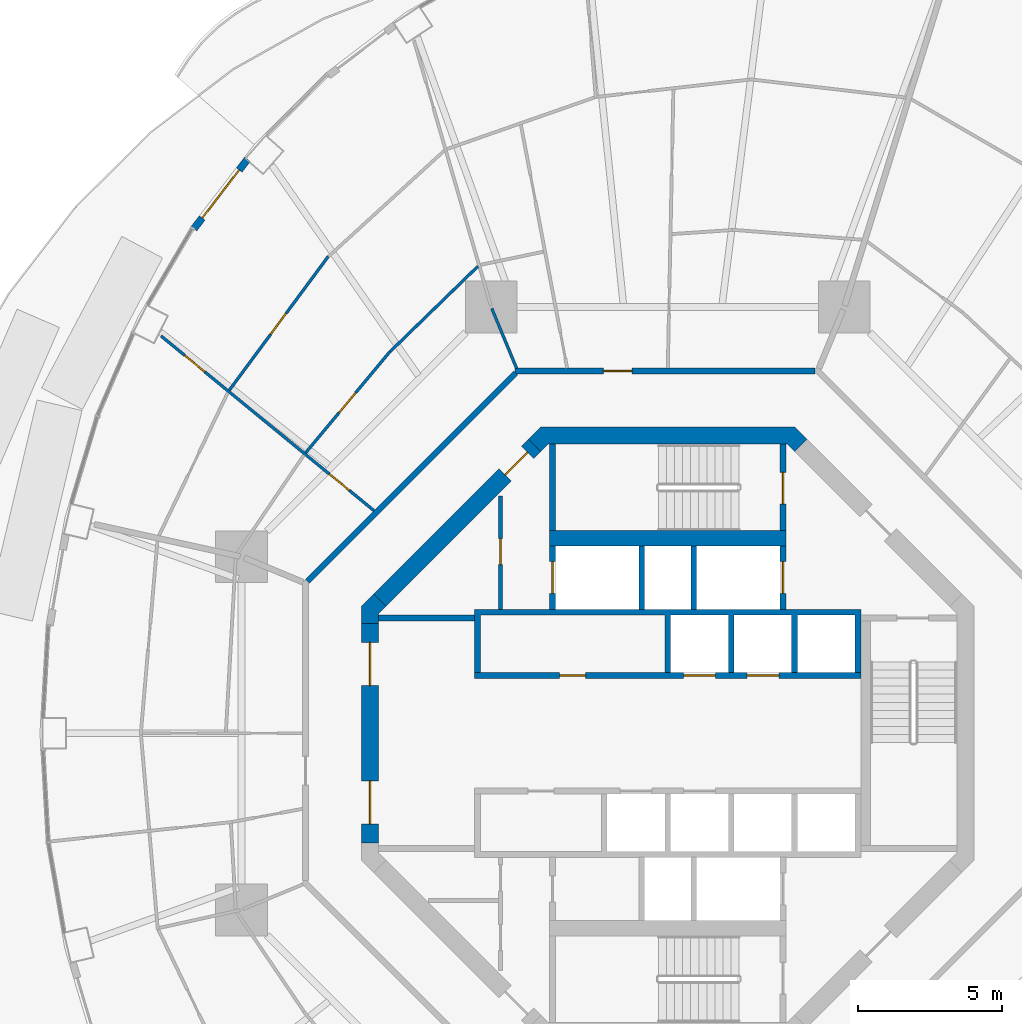
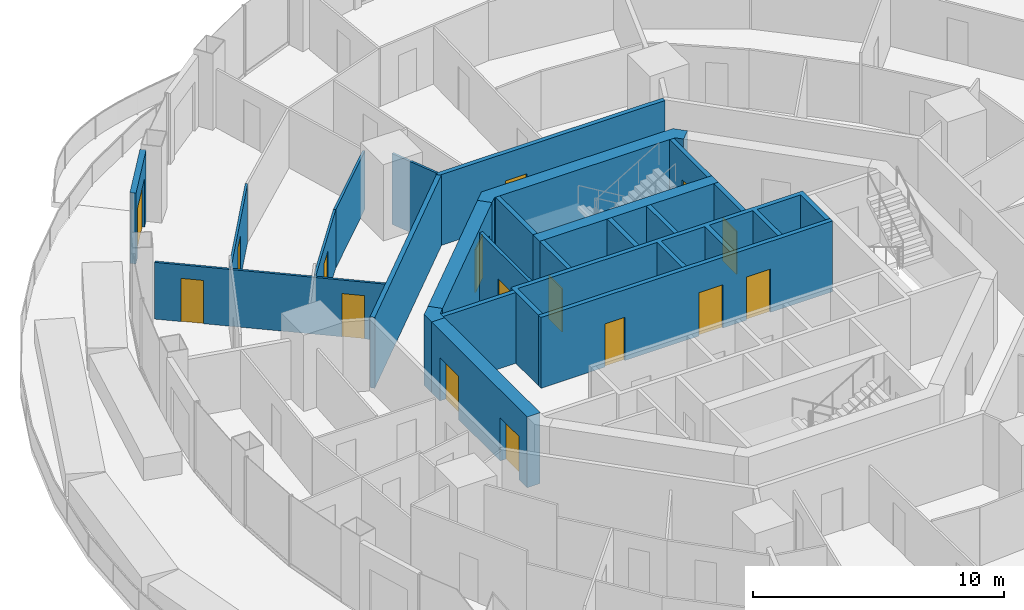
# One storey, part 15 of 20: 23 walls, 16 doors, 16 openings.
"""IFC4 building model written with IfcOpenShell, lengths in metres."""

import ifcopenshell
import ifcopenshell.guid

model = None  # the IFC model being written
_history = None  # IfcOwnerHistory: only IFC2X3 demands one
_inside = {}  # id of a spatial element -> (the spatial element, [elements in it])
_under = {}  # id of a project, library or spatial element -> (it, [spatial elements below it])
_declared = {}  # id of a project -> (the project, [libraries it declares])
_typed = {}  # id of a type object -> (the type object, [elements of that type])
_made_of = {}  # id of a material, layer set ... -> (it, [elements and type objects made of it])


def new_model(schema):
    """Start an empty IFC model of exactly this schema.

    Asked for "IFC4X3", IfcOpenShell would pick the latest addendum, in which some entities
    have other attributes; the version numbers below select the first issue.
    IFC2X3 requires an IfcOwnerHistory on every rooted entity: one is made here for all.
    """
    global model, _history
    if schema == "IFC4X3":
        model = ifcopenshell.file(schema_version=(4, 3, 0, 0))
    else:
        model = ifcopenshell.file(schema=schema)
    _inside.clear()
    _under.clear()
    _declared.clear()
    _typed.clear()
    _made_of.clear()
    _history = None
    if model.schema == "IFC2X3":
        org = make("IfcOrganization", Name="unknown")
        user = make(
            "IfcPersonAndOrganization",
            ThePerson=make("IfcPerson", FamilyName="unknown"),
            TheOrganization=org,
        )
        app = make(
            "IfcApplication",
            ApplicationDeveloper=org,
            Version="unknown",
            ApplicationFullName="unknown",
            ApplicationIdentifier="unknown",
        )
        _history = make(
            "IfcOwnerHistory",
            OwningUser=user,
            OwningApplication=app,
            ChangeAction="ADDED",
            CreationDate=0,
        )
    return model


def make(cls, **values):
    """One entity of the class cls with the attributes given. An attribute that is None is left unset."""
    return model.create_entity(
        cls, **{name: value for name, value in values.items() if value is not None}
    )


def rooted(cls, **values):
    """An entity with a GlobalId (a new one), such as an element, a storey or a relation."""
    return make(cls, GlobalId=ifcopenshell.guid.new(), OwnerHistory=_history, **values)


def si_unit(unit_type, name, prefix=None):
    """IfcSIUnit, for example si_unit("LENGTHUNIT", "METRE", prefix="MILLI")."""
    return make("IfcSIUnit", UnitType=unit_type, Prefix=prefix, Name=name)


def assignment(units):
    """IfcUnitAssignment: the units of a project."""
    return None if units is None else make("IfcUnitAssignment", Units=units)


def point(xyz):
    """IfcCartesianPoint."""
    return None if xyz is None else make("IfcCartesianPoint", Coordinates=xyz)


def direction(xyz):
    """IfcDirection."""
    return None if xyz is None else make("IfcDirection", DirectionRatios=xyz)


def frame(location, z_axis=None, x_axis=None):
    """IfcAxis2Placement3D, a coordinate frame: its origin and axes. An axis left out is left unset."""
    return make(
        "IfcAxis2Placement3D",
        Location=point(location),
        Axis=direction(z_axis),
        RefDirection=direction(x_axis),
    )


def frame_2d(location, x_axis=None):
    """IfcAxis2Placement2D, a coordinate frame in the plane: its origin and x axis."""
    return make(
        "IfcAxis2Placement2D", Location=point(location), RefDirection=direction(x_axis)
    )


def origin():
    """The frame at (0, 0, 0) with its axes left unset."""
    return frame((0.0, 0.0, 0.0))


def place(relative_to, where):
    """IfcLocalPlacement: puts the frame where relative to a parent placement (None: the world)."""
    return make(
        "IfcLocalPlacement", PlacementRelTo=relative_to, RelativePlacement=where
    )


def context(
    kind, dimensions, precision=None, world=None, true_north=None, identifier=None
):
    """IfcGeometricRepresentationContext, for example the 3D "Model" context."""
    return make(
        "IfcGeometricRepresentationContext",
        ContextIdentifier=identifier,
        ContextType=kind,
        CoordinateSpaceDimension=dimensions,
        Precision=precision,
        WorldCoordinateSystem=world,
        TrueNorth=true_north,
    )


def subcontext(parent, identifier, kind, view, scale=None):
    """IfcGeometricRepresentationSubContext, for example "Body" below "Model"."""
    return make(
        "IfcGeometricRepresentationSubContext",
        ContextIdentifier=identifier,
        ContextType=kind,
        ParentContext=parent,
        TargetScale=scale,
        TargetView=view,
    )


def project(units=None, contexts=None):
    """IfcProject with its units and contexts."""
    return rooted(
        "IfcProject",
        Name="project",
        RepresentationContexts=contexts,
        UnitsInContext=assignment(units),
    )


def spatial(cls, under=None, at=None, **own):
    """A site, building, storey or space (cls), placed at a placement, below another one or the project."""
    s = rooted(cls, ObjectPlacement=at, **own)
    if under is not None:
        _under.setdefault(under.id(), (under, []))[1].append(s)
    return s


def polyline(points):
    """IfcPolyline through the points."""
    return make("IfcPolyline", Points=[point(p) for p in points])


def profile(cls, at=None, kind="AREA", **sizes):
    """A parametric profile (cls). Its sizes go by their IFC names, for example OverallWidth=200.0."""
    return make(cls, ProfileType=kind, Position=at, **sizes)


def rectangle(**sizes):
    """IfcRectangleProfileDef."""
    return profile("IfcRectangleProfileDef", **sizes)


def outline(outer, holes=None, kind="AREA"):
    """IfcArbitraryClosedProfileDef: a profile drawn as a closed curve; with holes, ...WithVoids."""
    if holes is None:
        return make("IfcArbitraryClosedProfileDef", ProfileType=kind, OuterCurve=outer)
    return make(
        "IfcArbitraryProfileDefWithVoids",
        ProfileType=kind,
        OuterCurve=outer,
        InnerCurves=holes,
    )


def extrude(swept, where, along, depth):
    """IfcExtrudedAreaSolid: the profile swept, set in the frame where, extruded along a direction by depth."""
    return make(
        "IfcExtrudedAreaSolid",
        SweptArea=swept,
        Position=where,
        ExtrudedDirection=direction(along),
        Depth=depth,
    )


def shape(context_of_items, identifier, shape_type, items):
    """IfcShapeRepresentation: the items that make up one representation, for example the "Body"."""
    return make(
        "IfcShapeRepresentation",
        ContextOfItems=context_of_items,
        RepresentationIdentifier=identifier,
        RepresentationType=shape_type,
        Items=items,
    )


def material(Name=None, Category=None):
    """IfcMaterial."""
    return make("IfcMaterial", Name=Name, Category=Category)


def layer(
    of_material, thickness, ventilated=None, Name=None, Category=None, Priority=None
):
    """IfcMaterialLayer: one layer of a wall or slab, of a material (None: an air gap)."""
    return make(
        "IfcMaterialLayer",
        Material=of_material,
        LayerThickness=thickness,
        IsVentilated=ventilated,
        Name=Name,
        Category=Category,
        Priority=Priority,
    )


def layer_set(layers, Name=None):
    """IfcMaterialLayerSet."""
    return make("IfcMaterialLayerSet", MaterialLayers=layers, LayerSetName=Name)


def made_of(thing, what):
    """Note that an element or type object is made of a material, layer set ...; save() writes the relation."""
    if what is not None:
        _made_of.setdefault(what.id(), (what, []))[1].append(thing)
    return thing


def type_object(cls, material=None, **own):
    """A type object (cls), such as IfcWallType, which elements share."""
    return made_of(rooted(cls, **own), material)


def element(
    cls,
    number,
    at=None,
    inside=None,
    cuts=None,
    type_object=None,
    material=None,
    context=None,
    identifier="Body",
    shape_type=None,
    held_by="IfcProductDefinitionShape",
    body=None,
    shapes=None,
    **own,
):
    """One element of the class cls, such as IfcWall. Its Tag is "e" and its number.

    at: its placement. inside: the storey or other place that contains it. cuts: it is an
    opening in that element (IfcRelVoidsElement). A single representation is given by context,
    identifier, shape_type and body (its items); several are given by shapes. held_by: the class
    of the entity that holds the representations. save() writes the other relations.
    """
    e = rooted(cls, Tag="e%d" % number, ObjectPlacement=at, **own)
    if body is not None:
        shapes = [shape(context, identifier, shape_type, body)]
    if shapes is not None:
        e.Representation = make(held_by, Representations=shapes)
    if inside is not None:
        _inside.setdefault(inside.id(), (inside, []))[1].append(e)
    if cuts is not None:
        rooted(
            "IfcRelVoidsElement", RelatingBuildingElement=cuts, RelatedOpeningElement=e
        )
    if type_object is not None:
        _typed.setdefault(type_object.id(), (type_object, []))[1].append(e)
    return made_of(e, material)


def fill(opening, filler):
    """IfcRelFillsElement: the door or window that sits in an opening."""
    return rooted(
        "IfcRelFillsElement",
        RelatingOpeningElement=opening,
        RelatedBuildingElement=filler,
    )


def aggregate(whole, parts):
    """IfcRelAggregates: a whole, such as a stair, and the parts it consists of."""
    return rooted("IfcRelAggregates", RelatingObject=whole, RelatedObjects=parts)


def save(model, path):
    """Write the relations noted so far, then the file.

    IfcRelAggregates (storeys below a building ...), IfcRelContainedInSpatialStructure (elements
    in a storey), IfcRelDefinesByType, IfcRelAssociatesMaterial and IfcRelDeclares: one each for
    every whole, place, type object, material and project.
    """
    for whole, parts in _under.values():
        aggregate(whole, parts)
    for where, things in _inside.values():
        rooted(
            "IfcRelContainedInSpatialStructure",
            RelatedElements=things,
            RelatingStructure=where,
        )
    for kind, things in _typed.values():
        rooted("IfcRelDefinesByType", RelatedObjects=things, RelatingType=kind)
    for what, things in _made_of.values():
        rooted("IfcRelAssociatesMaterial", RelatedObjects=things, RelatingMaterial=what)
    for by, libraries in _declared.values():
        rooted("IfcRelDeclares", RelatingContext=by, RelatedDefinitions=libraries)
    model.write(path)


model = new_model("IFC4")

# Units and contexts
model_context = context("Model", 3, precision=1e-05, world=origin(), true_north=direction((0.0, 1.0)))
body_context = subcontext(model_context, "Body", "Model", "MODEL_VIEW")
ifc_project = project(units=[si_unit("LENGTHUNIT", "METRE"), si_unit("AREAUNIT", "SQUARE_METRE"), si_unit("VOLUMEUNIT", "CUBIC_METRE"), si_unit("PLANEANGLEUNIT", "RADIAN"), si_unit("MASSUNIT", "GRAM", prefix="KILO")], contexts=[model_context])

# Site, building, storey
site_placement = place(None, origin())
site = spatial("IfcSite", under=ifc_project, at=site_placement, CompositionType="ELEMENT")
building_placement = place(site_placement, origin())
building = spatial("IfcBuilding", under=site, at=building_placement, Name="Nagisa Residences", CompositionType="ELEMENT")
storey_placement = place(building_placement, frame((0.0, 0.0, 165.89990234375)))
storey = spatial("IfcBuildingStorey", under=building, at=storey_placement, Name="L41", CompositionType="ELEMENT", Elevation=165.89990234375)

# Wall, opening, door
ifc_material_1 = material(Name="Gypsum board on steel studs", Category="steel")
ifc_layer_1 = layer(ifc_material_1, 0.199951171875)
ifc_layer_set_1 = layer_set([ifc_layer_1], Name="Apartment entry wall EI60 200")
wall_type_1 = type_object("IfcWallType", Name="Apartment entry wall EI60 200", PredefinedType="PARTITIONING", material=ifc_layer_set_1)
wall_1_placement = place(storey_placement, frame((5.1044921875, 12.564697265625, 0.0), z_axis=(0.0, 0.0, 1.0), x_axis=(-1.0, 0.0, 0.0)))
wall_1 = element("IfcWall", 1, at=wall_1_placement, inside=storey, type_object=wall_type_1, Name="wall:L41:u10", PredefinedType="PARTITIONING", context=body_context, shape_type="SweptSolid", body=[
    extrude(rectangle(XDim=10.408935546875, YDim=0.199951171875, at=frame_2d((5.20458984375, 0.0))), origin(), (0.0, 0.0, 1.0), 3.440185546875),
])
opening_1_placement = place(wall_1_placement, frame((6.33935546875, 0.0, 0.0)))
opening_1 = element("IfcOpeningElement", 2, at=opening_1_placement, cuts=wall_1, Name="Opening L41-U15", PredefinedType="OPENING", context=body_context, shape_type="SweptSolid", body=[
    extrude(rectangle(XDim=1.0, YDim=2.10009765625, at=frame_2d((0.5, 1.050048828125))), frame((0.0, 0.10986328125, 0.0), z_axis=(0.0, -1.0, 0.0), x_axis=(1.0, 0.0, 0.0)), (0.0, 0.0, 1.0), 0.219970703125),
])
ifc_material_2 = material(Name="Timber fire door set", Category="wood")
door_type_1 = type_object("IfcDoorType", Name="Apartment entry door FD30S 1000x2100", OperationType="NOTDEFINED", PredefinedType="DOOR", material=ifc_material_2)
door_1_placement = place(opening_1_placement, frame((1.0, 0.0, 0.0), x_axis=(-1.0, 0.0, 0.0)))
door_1 = element("IfcDoor", 3, at=door_1_placement, inside=storey, type_object=door_type_1, Name="Entry door, Apartment 41B", OperationType="SINGLE_SWING_RIGHT", OverallHeight=2.10009765625, OverallWidth=1.0, PredefinedType="DOOR", context=body_context, shape_type="SweptSolid", body=[
    extrude(rectangle(XDim=1.0, YDim=2.10009765625, at=frame_2d((0.5, 1.050048828125))), frame((0.0, 0.02490234375, 0.0), z_axis=(0.0, -1.0, 0.0), x_axis=(1.0, 0.0, 0.0)), (0.0, 0.0, 1.0), 0.050048828125),
])
fill(opening_1, door_1)

# Walls
wall_2_placement = place(storey_placement, frame((-5.275146484375, 12.494140625, 0.0), z_axis=(0.0, 0.0, 1.0), x_axis=(-0.707106781187, -0.707106781187, 0.0)))
element("IfcWall", 4, at=wall_2_placement, inside=storey, type_object=wall_type_1, Name="wall:L41:u11", PredefinedType="PARTITIONING", context=body_context, shape_type="SweptSolid", body=[
    extrude(rectangle(XDim=10.209228515625, YDim=0.199951171875, at=frame_2d((5.1044921875, 0.0))), origin(), (0.0, 0.0, 1.0), 3.440185546875),
])
ifc_material_3 = material(Name="Gypsum board on steel studs", Category="steel")
ifc_layer_2 = layer(ifc_material_3, 0.10009765625)
ifc_layer_set_2 = layer_set([ifc_layer_2], Name="Apartment partition 100")
wall_type_2 = type_object("IfcWallType", Name="Apartment partition 100", PredefinedType="PARTITIONING", material=ifc_layer_set_2)
wall_3_placement = place(storey_placement, frame((-5.24267578125, 12.6572265625, 0.0), z_axis=(0.0, 0.0, 1.0), x_axis=(-0.382719158442, 0.923864733477, 0.0)))
element("IfcWall", 5, at=wall_3_placement, inside=storey, type_object=wall_type_2, Name="wall:L41:u44", PredefinedType="PARTITIONING", context=body_context, shape_type="SweptSolid", body=[
    extrude(rectangle(XDim=2.25, YDim=0.10009765625, at=frame_2d((1.125, 0.0))), origin(), (0.0, 0.0, 1.0), 3.440185546875),
])
wall_4_placement = place(storey_placement, frame((-6.580322265625, 16.200927734375, 0.0), z_axis=(0.0, 0.0, 1.0), x_axis=(-0.716946269374, -0.697128429223, 0.0)))
element("IfcWall", 6, at=wall_4_placement, inside=storey, type_object=wall_type_2, Name="wall:L41:u46", PredefinedType="PARTITIONING", context=body_context, shape_type="SweptSolid", body=[
    extrude(rectangle(XDim=4.250244140625, YDim=0.10009765625, at=frame_2d((2.125, 0.0))), origin(), (0.0, 0.0, 1.0), 2.837158203125),
])

# Wall, opening, door
wall_5_placement = place(storey_placement, frame((-9.63134765625, 13.24169921875, 0.0), z_axis=(0.0, 0.0, 1.0), x_axis=(-0.640315711982, -0.768111833647, 0.0)))
wall_5 = element("IfcWall", 7, at=wall_5_placement, inside=storey, type_object=wall_type_2, Name="wall:L41:u48", PredefinedType="PARTITIONING", context=body_context, shape_type="SweptSolid", body=[
    extrude(rectangle(XDim=4.571533203125, YDim=0.10009765625, at=frame_2d((2.28564453125, 0.0))), origin(), (0.0, 0.0, 1.0), 2.837158203125),
])
opening_2_placement = place(wall_5_placement, frame((1.86083984375, 0.0, 0.0)))
opening_2 = element("IfcOpeningElement", 8, at=opening_2_placement, cuts=wall_5, Name="Opening L41-U26", PredefinedType="OPENING", context=body_context, shape_type="SweptSolid", body=[
    extrude(rectangle(XDim=0.89990234375, YDim=2.10009765625, at=frame_2d((0.449951171875, 1.050048828125))), frame((0.0, 0.06005859375, 0.0), z_axis=(0.0, -1.0, 0.0), x_axis=(1.0, 0.0, 0.0)), (0.0, 0.0, 1.0), 0.1201171875),
])
ifc_material_4 = material(Name="Timber door set", Category="wood")
door_type_2 = type_object("IfcDoorType", Name="Apartment door 900x2100", OperationType="NOTDEFINED", PredefinedType="DOOR", material=ifc_material_4)
door_2_placement = place(opening_2_placement, origin())
door_2 = element("IfcDoor", 9, at=door_2_placement, inside=storey, type_object=door_type_2, Name="Door to store, Apartment 41B", OperationType="SINGLE_SWING_RIGHT", OverallHeight=2.10009765625, OverallWidth=0.89990234375, PredefinedType="DOOR", context=body_context, shape_type="SweptSolid", body=[
    extrude(rectangle(XDim=0.89990234375, YDim=2.10009765625, at=frame_2d((0.449951171875, 1.050048828125))), frame((0.0, 0.02490234375, 0.0), z_axis=(0.0, -1.0, 0.0), x_axis=(1.0, 0.0, 0.0)), (0.0, 0.0, 1.0), 0.050048828125),
])
fill(opening_2, door_2)

wall_6_placement = place(storey_placement, frame((-11.77294921875, 16.54150390625, 0.0), z_axis=(0.0, 0.0, 1.0), x_axis=(-0.594694305999, -0.803951915485, 0.0)))
wall_6 = element("IfcWall", 10, at=wall_6_placement, inside=storey, type_object=wall_type_2, Name="wall:L41:u49", PredefinedType="PARTITIONING", context=body_context, shape_type="SweptSolid", body=[
    extrude(rectangle(XDim=5.771728515625, YDim=0.10009765625, at=frame_2d((2.8857421875, 0.0))), origin(), (0.0, 0.0, 1.0), 2.837158203125),
])
opening_3_placement = place(wall_6_placement, frame((2.460693359375, 0.0, 0.0)))
opening_3 = element("IfcOpeningElement", 11, at=opening_3_placement, cuts=wall_6, Name="Opening L41-U24", PredefinedType="OPENING", context=body_context, shape_type="SweptSolid", body=[
    extrude(rectangle(XDim=0.89990234375, YDim=2.10009765625, at=frame_2d((0.449951171875, 1.050048828125))), frame((0.0, 0.06005859375, 0.0), z_axis=(0.0, -1.0, 0.0), x_axis=(1.0, 0.0, 0.0)), (0.0, 0.0, 1.0), 0.1201171875),
])
door_3_placement = place(opening_3_placement, origin())
door_3 = element("IfcDoor", 12, at=door_3_placement, inside=storey, type_object=door_type_2, Name="Door to kitchen, Apartment 41B", OperationType="SINGLE_SWING_RIGHT", OverallHeight=2.10009765625, OverallWidth=0.89990234375, PredefinedType="DOOR", context=body_context, shape_type="SweptSolid", body=[
    extrude(rectangle(XDim=0.89990234375, YDim=2.10009765625, at=frame_2d((0.449951171875, 1.050048828125))), frame((0.0, 0.02490234375, 0.0), z_axis=(0.0, -1.0, 0.0), x_axis=(1.0, 0.0, 0.0)), (0.0, 0.0, 1.0), 0.050048828125),
])
fill(opening_3, door_3)

# Wall, openings, doors
wall_7_placement = place(storey_placement, frame((-10.188720703125, 7.721435546875, 0.0), z_axis=(0.0, 0.0, 1.0), x_axis=(-0.773134429339, 0.634242188892, 0.0)))
wall_7 = element("IfcWall", 13, at=wall_7_placement, inside=storey, type_object=wall_type_2, Name="wall:L41:u50", PredefinedType="PARTITIONING", context=body_context, shape_type="SweptSolid", body=[
    extrude(rectangle(XDim=9.5517578125, YDim=0.10009765625, at=frame_2d((4.77587890625, 0.0))), origin(), (0.0, 0.0, 1.0), 2.756103515625),
])
opening_4_placement = place(wall_7_placement, frame((7.589599609375, 0.0, 0.0)))
opening_4 = element("IfcOpeningElement", 14, at=opening_4_placement, cuts=wall_7, Name="Opening L41-U23", PredefinedType="OPENING", context=body_context, shape_type="SweptSolid", body=[
    extrude(rectangle(XDim=0.89990234375, YDim=2.10009765625, at=frame_2d((0.449951171875, 1.050048828125))), frame((0.0, 0.06005859375, 0.0), z_axis=(0.0, -1.0, 0.0), x_axis=(1.0, 0.0, 0.0)), (0.0, 0.0, 1.0), 0.1201171875),
])
opening_5_placement = place(wall_7_placement, frame((1.103515625, 0.0, 0.0)))
opening_5 = element("IfcOpeningElement", 15, at=opening_5_placement, cuts=wall_7, Name="Opening L41-U27", PredefinedType="OPENING", context=body_context, shape_type="SweptSolid", body=[
    extrude(rectangle(XDim=0.89990234375, YDim=2.10009765625, at=frame_2d((0.449951171875, 1.050048828125))), frame((0.0, 0.06005859375, 0.0), z_axis=(0.0, -1.0, 0.0), x_axis=(1.0, 0.0, 0.0)), (0.0, 0.0, 1.0), 0.1201171875),
])
door_4_placement = place(opening_4_placement, origin())
door_4 = element("IfcDoor", 16, at=door_4_placement, inside=storey, type_object=door_type_2, Name="Door to bedroom, Apartment 41B", OperationType="SINGLE_SWING_LEFT", OverallHeight=2.10009765625, OverallWidth=0.89990234375, PredefinedType="DOOR", context=body_context, shape_type="SweptSolid", body=[
    extrude(rectangle(XDim=0.89990234375, YDim=2.10009765625, at=frame_2d((0.449951171875, 1.050048828125))), frame((0.0, 0.02490234375, 0.0), z_axis=(0.0, -1.0, 0.0), x_axis=(1.0, 0.0, 0.0)), (0.0, 0.0, 1.0), 0.050048828125),
])
fill(opening_4, door_4)
door_5_placement = place(opening_5_placement, origin())
door_5 = element("IfcDoor", 17, at=door_5_placement, inside=storey, type_object=door_type_2, Name="Door to laundry, Apartment 41B", OperationType="SINGLE_SWING_LEFT", OverallHeight=2.10009765625, OverallWidth=0.89990234375, PredefinedType="DOOR", context=body_context, shape_type="SweptSolid", body=[
    extrude(rectangle(XDim=0.89990234375, YDim=2.10009765625, at=frame_2d((0.449951171875, 1.050048828125))), frame((0.0, 0.02490234375, 0.0), z_axis=(0.0, -1.0, 0.0), x_axis=(1.0, 0.0, 0.0)), (0.0, 0.0, 1.0), 0.050048828125),
])
fill(opening_5, door_5)

# Wall, opening, door
ifc_material_5 = material(Name="Precast concrete C40/50", Category="concrete")
ifc_layer_3 = layer(ifc_material_5, 0.25)
ifc_layer_set_3 = layer_set([ifc_layer_3], Name="BALCONY DOOR WALL 250")
wall_type_3 = type_object("IfcWallType", Name="BALCONY DOOR WALL 250", PredefinedType="SOLIDWALL", material=ifc_layer_set_3)
wall_8_placement = place(storey_placement, frame((-16.432373046875, 17.501708984375, 0.0), z_axis=(0.0, 0.0, 1.0), x_axis=(0.610437428894, 0.79206448311, 0.0)))
wall_8 = element("IfcWall", 18, at=wall_8_placement, inside=storey, type_object=wall_type_3, Name="wall:L41:bay18", PredefinedType="SOLIDWALL", context=body_context, shape_type="SweptSolid", body=[
    extrude(rectangle(XDim=3.03515625, YDim=0.25, at=frame_2d((1.517578125, 0.0))), origin(), (0.0, 0.0, 1.0), 3.440185546875),
])
opening_6_placement = place(wall_8_placement, frame((0.467529296875, 0.0, 0.0)))
opening_6 = element("IfcOpeningElement", 19, at=opening_6_placement, cuts=wall_8, Name="Opening BD-L41-07", PredefinedType="OPENING", context=body_context, shape_type="SweptSolid", body=[
    extrude(rectangle(XDim=2.10009765625, YDim=2.39990234375, at=frame_2d((1.050048828125, 1.199951171875))), frame((0.0, 0.135009765625, 0.0), z_axis=(0.0, -1.0, 0.0), x_axis=(1.0, 0.0, 0.0)), (0.0, 0.0, 1.0), 0.27001953125),
])
ifc_material_6 = material(Name="Aluminium and clear glass", Category="aluminium")
door_type_3 = type_object("IfcDoorType", Name="BALCONY SLIDING DOOR 2100x2400", OperationType="SLIDING_TO_LEFT", PredefinedType="DOOR", material=ifc_material_6)
door_6_placement = place(opening_6_placement, origin())
door_6 = element("IfcDoor", 20, at=door_6_placement, inside=storey, type_object=door_type_3, Name="door:L41:bay18", OperationType="SLIDING_TO_LEFT", OverallHeight=2.39990234375, OverallWidth=2.10009765625, PredefinedType="DOOR", context=body_context, shape_type="SweptSolid", body=[
    extrude(rectangle(XDim=2.10009765625, YDim=2.39990234375, at=frame_2d((1.050048828125, 1.199951171875))), frame((0.0, 0.02490234375, 0.0), z_axis=(0.0, -1.0, 0.0), x_axis=(1.0, 0.0, 0.0)), (0.0, 0.0, 1.0), 0.050048828125),
])
fill(opening_6, door_6)

ifc_material_7 = material(Name="Gypsum board on steel studs", Category="steel")
ifc_layer_4 = layer(ifc_material_7, 0.14990234375)
ifc_layer_set_4 = layer_set([ifc_layer_4], Name="Core partition 150")
wall_type_4 = type_object("IfcWallType", Name="Core partition 150", PredefinedType="PARTITIONING", material=ifc_layer_set_4)
wall_9_placement = place(storey_placement, frame((-5.800048828125, 4.300048828125, 0.0), z_axis=(0.0, 0.0, 1.0), x_axis=(0.0, 1.0, 0.0)))
wall_9 = element("IfcWall", 21, at=wall_9_placement, inside=storey, type_object=wall_type_4, Name="wall:L41:NWp", PredefinedType="PARTITIONING", context=body_context, shape_type="SweptSolid", body=[
    extrude(rectangle(XDim=3.927001953125, YDim=0.14990234375, at=frame_2d((1.96337890625, 0.0))), origin(), (0.0, 0.0, 1.0), 3.440185546875),
])
opening_7_placement = place(wall_9_placement, frame((1.551025390625, 0.0, 0.0)))
opening_7 = element("IfcOpeningElement", 22, at=opening_7_placement, cuts=wall_9, Name="Opening L41-C11", PredefinedType="OPENING", context=body_context, shape_type="SweptSolid", body=[
    extrude(rectangle(XDim=0.89990234375, YDim=2.10009765625, at=frame_2d((0.449951171875, 1.050048828125))), frame((0.0, 0.0849609375, 0.0), z_axis=(0.0, -1.0, 0.0), x_axis=(1.0, 0.0, 0.0)), (0.0, 0.0, 1.0), 0.169921875),
])
ifc_material_8 = material(Name="Steel fire door", Category="steel")
door_type_4 = type_object("IfcDoorType", Name="Fire door EI30 900x2100 single swing", OperationType="NOTDEFINED", PredefinedType="DOOR", material=ifc_material_8)
door_7_placement = place(opening_7_placement, origin())
door_7 = element("IfcDoor", 23, at=door_7_placement, inside=storey, type_object=door_type_4, Name="Package room door L41", OperationType="SINGLE_SWING_RIGHT", OverallHeight=2.10009765625, OverallWidth=0.89990234375, PredefinedType="DOOR", context=body_context, shape_type="SweptSolid", body=[
    extrude(rectangle(XDim=0.89990234375, YDim=2.10009765625, at=frame_2d((0.449951171875, 1.050048828125))), frame((0.0, 0.02490234375, 0.0), z_axis=(0.0, -1.0, 0.0), x_axis=(1.0, 0.0, 0.0)), (0.0, 0.0, 1.0), 0.050048828125),
])
fill(opening_7, door_7)

# Wall
ifc_material_9 = material(Name="Gypsum board on steel studs", Category="steel")
ifc_layer_5 = layer(ifc_material_9, 0.199951171875)
ifc_layer_set_5 = layer_set([ifc_layer_5], Name="Core partition 200")
wall_type_5 = type_object("IfcWallType", Name="Core partition 200", PredefinedType="PARTITIONING", material=ifc_layer_set_5)
wall_10_placement = place(storey_placement, frame((-10.024658203125, 4.0, 0.0), z_axis=(0.0, 0.0, 1.0), x_axis=(1.0, 0.0, 0.0)))
element("IfcWall", 24, at=wall_10_placement, inside=storey, type_object=wall_type_5, Name="wall:L41:PNW", PredefinedType="PARTITIONING", context=body_context, shape_type="SweptSolid", body=[
    extrude(rectangle(XDim=3.32470703125, YDim=0.199951171875, at=frame_2d((1.662353515625, 0.0))), origin(), (0.0, 0.0, 1.0), 3.440185546875),
])

# Wall, opening, door
ifc_material_10 = material(Name="Concrete C60", Category="concrete")
ifc_layer_6 = layer(ifc_material_10, 0.60009765625)
ifc_layer_set_6 = layer_set([ifc_layer_6], Name="Core shear wall 600")
wall_type_6 = type_object("IfcWallType", Name="Core shear wall 600", PredefinedType="SHEAR", material=ifc_layer_set_6)
wall_11_placement = place(storey_placement, frame((-4.613037109375, 9.98828125, 0.0), z_axis=(0.0, 0.0, 1.0), x_axis=(-0.707106781187, -0.707106781187, 0.0)))
wall_11 = element("IfcWall", 25, at=wall_11_placement, inside=storey, type_object=wall_type_6, Name="wall:L41:core:flat3", PredefinedType="SHEAR", context=body_context, shape_type="SweptSolid", body=[
    extrude(rectangle(XDim=7.601806640625, YDim=0.60009765625, at=frame_2d((3.80078125, 0.0))), origin(), (0.0, 0.0, 1.0), 3.440185546875),
])
opening_8_placement = place(wall_11_placement, frame((0.350830078125, 0.0, 0.0)))
opening_8 = element("IfcOpeningElement", 26, at=opening_8_placement, cuts=wall_11, Name="Opening L41-C21", PredefinedType="OPENING", context=body_context, shape_type="SweptSolid", body=[
    extrude(rectangle(XDim=1.10009765625, YDim=2.10009765625, at=frame_2d((0.550048828125, 1.050048828125))), frame((0.0, 0.31005859375, 0.0), z_axis=(0.0, -1.0, 0.0), x_axis=(1.0, 0.0, 0.0)), (0.0, 0.0, 1.0), 0.6201171875),
])
ifc_material_11 = material(Name="Steel fire door", Category="steel")
door_type_5 = type_object("IfcDoorType", Name="Fire door EI60 1100x2100 single swing", OperationType="NOTDEFINED", PredefinedType="DOOR", material=ifc_material_11)
door_8_placement = place(opening_8_placement, origin())
door_8 = element("IfcDoor", 27, at=door_8_placement, inside=storey, type_object=door_type_5, Name="Service lobby door L41", OperationType="SINGLE_SWING_LEFT", OverallHeight=2.10009765625, OverallWidth=1.10009765625, PredefinedType="DOOR", context=body_context, shape_type="SweptSolid", body=[
    extrude(rectangle(XDim=1.10009765625, YDim=2.10009765625, at=frame_2d((0.550048828125, 1.050048828125))), frame((0.0, 0.02490234375, 0.0), z_axis=(0.0, -1.0, 0.0), x_axis=(1.0, 0.0, 0.0)), (0.0, 0.0, 1.0), 0.050048828125),
])
fill(opening_8, door_8)

# Wall, openings, doors
wall_12_placement = place(storey_placement, frame((-10.32470703125, 3.80078125, 0.0), z_axis=(0.0, 0.0, 1.0), x_axis=(0.0, -1.0, 0.0)))
wall_12 = element("IfcWall", 28, at=wall_12_placement, inside=storey, type_object=wall_type_6, Name="wall:L41:core:flat4", PredefinedType="SHEAR", context=body_context, shape_type="SweptSolid", body=[
    extrude(rectangle(XDim=7.6015625, YDim=0.60009765625, at=frame_2d((3.80078125, 0.0))), origin(), (0.0, 0.0, 1.0), 3.440185546875),
])
opening_9_placement = place(wall_12_placement, frame((0.65087890625, 0.0, 0.0)))
opening_9 = element("IfcOpeningElement", 29, at=opening_9_placement, cuts=wall_12, Name="Opening L41-C19", PredefinedType="OPENING", context=body_context, shape_type="SweptSolid", body=[
    extrude(rectangle(XDim=1.5, YDim=2.10009765625, at=frame_2d((0.75, 1.050048828125))), frame((0.0, 0.31005859375, 0.0), z_axis=(0.0, -1.0, 0.0), x_axis=(1.0, 0.0, 0.0)), (0.0, 0.0, 1.0), 0.6201171875),
])
opening_10_placement = place(wall_12_placement, frame((5.450927734375, 0.0, 0.0)))
opening_10 = element("IfcOpeningElement", 30, at=opening_10_placement, cuts=wall_12, Name="Opening L41-C20", PredefinedType="OPENING", context=body_context, shape_type="SweptSolid", body=[
    extrude(rectangle(XDim=1.5, YDim=2.10009765625, at=frame_2d((0.75, 1.050048828125))), frame((0.0, 0.31005859375, 0.0), z_axis=(0.0, -1.0, 0.0), x_axis=(1.0, 0.0, 0.0)), (0.0, 0.0, 1.0), 0.6201171875),
])
ifc_material_12 = material(Name="Steel fire door", Category="steel")
door_type_6 = type_object("IfcDoorType", Name="Fire door EI60 1500x2100 double door single swing", OperationType="DOUBLE_DOOR_SINGLE_SWING", PredefinedType="DOOR", material=ifc_material_12)
door_9_placement = place(opening_9_placement, origin())
door_9 = element("IfcDoor", 31, at=door_9_placement, inside=storey, type_object=door_type_6, Name="Lift lobby door L41 1", OperationType="DOUBLE_DOOR_SINGLE_SWING", OverallHeight=2.10009765625, OverallWidth=1.5, PredefinedType="DOOR", context=body_context, shape_type="SweptSolid", body=[
    extrude(rectangle(XDim=1.5, YDim=2.10009765625, at=frame_2d((0.75, 1.050048828125))), frame((0.0, 0.02490234375, 0.0), z_axis=(0.0, -1.0, 0.0), x_axis=(1.0, 0.0, 0.0)), (0.0, 0.0, 1.0), 0.050048828125),
])
fill(opening_9, door_9)
door_10_placement = place(opening_10_placement, origin())
door_10 = element("IfcDoor", 32, at=door_10_placement, inside=storey, type_object=door_type_6, Name="Lift lobby door L41 2", OperationType="DOUBLE_DOOR_SINGLE_SWING", OverallHeight=2.10009765625, OverallWidth=1.5, PredefinedType="DOOR", context=body_context, shape_type="SweptSolid", body=[
    extrude(rectangle(XDim=1.5, YDim=2.10009765625, at=frame_2d((0.75, 1.050048828125))), frame((0.0, 0.02490234375, 0.0), z_axis=(0.0, -1.0, 0.0), x_axis=(1.0, 0.0, 0.0)), (0.0, 0.0, 1.0), 0.050048828125),
])
fill(opening_10, door_10)

# Walls
wall_13_placement = place(storey_placement, origin())
element("IfcWall", 33, at=wall_13_placement, inside=storey, type_object=wall_type_6, Name="wall:L41:core:pier3", PredefinedType="SHEAR", context=body_context, shape_type="SweptSolid", body=[
    extrude(outline(polyline([(-10.200439453125, 4.8251953125), (-9.776123046875, 4.40087890625), (-10.024658203125, 4.15234375), (-10.024658203125, 3.80078125), (-10.62451171875, 3.80078125), (-10.62451171875, 4.40087890625), (-10.200439453125, 4.8251953125)])), origin(), (0.0, 0.0, 1.0), 3.440185546875),
])
wall_14_placement = place(storey_placement, origin())
element("IfcWall", 34, at=wall_14_placement, inside=storey, type_object=wall_type_6, Name="wall:L41:core:flat2", PredefinedType="SHEAR", context=body_context, shape_type="SweptSolid", body=[
    extrude(outline(polyline([(-4.15234375, 10.024658203125), (-4.40087890625, 9.776123046875), (-4.8251953125, 10.200439453125), (-4.40087890625, 10.62451171875), (4.40087890625, 10.62451171875), (4.8251953125, 10.200439453125), (4.40087890625, 9.776123046875), (4.15234375, 10.024658203125), (-4.15234375, 10.024658203125)])), origin(), (0.0, 0.0, 1.0), 3.440185546875),
])

# Wall, opening, door
ifc_material_13 = material(Name="Concrete C60", Category="concrete")
ifc_layer_7 = layer(ifc_material_13, 0.199951171875)
ifc_layer_set_7 = layer_set([ifc_layer_7], Name="Lift shaft wall 200")
wall_type_7 = type_object("IfcWallType", Name="Lift shaft wall 200", PredefinedType="SOLIDWALL", material=ifc_layer_set_7)
wall_15_placement = place(storey_placement, frame((4.0, 4.300048828125, 0.0), z_axis=(0.0, 0.0, 1.0), x_axis=(0.0, 1.0, 0.0)))
wall_15 = element("IfcWall", 35, at=wall_15_placement, inside=storey, type_object=wall_type_7, Name="wall:L41:Nb3", PredefinedType="SOLIDWALL", context=body_context, shape_type="SweptSolid", body=[
    extrude(rectangle(XDim=2.199951171875, YDim=0.199951171875, at=frame_2d((1.10009765625, 0.0))), origin(), (0.0, 0.0, 1.0), 3.440185546875),
])
opening_11_placement = place(wall_15_placement, frame((0.550048828125, 0.0, 0.0)))
opening_11 = element("IfcOpeningElement", 36, at=opening_11_placement, cuts=wall_15, Name="Opening L41-C05", PredefinedType="OPENING", context=body_context, shape_type="SweptSolid", body=[
    extrude(rectangle(XDim=1.10009765625, YDim=2.10009765625, at=frame_2d((0.550048828125, 1.050048828125))), frame((0.0, 0.10986328125, 0.0), z_axis=(0.0, -1.0, 0.0), x_axis=(1.0, 0.0, 0.0)), (0.0, 0.0, 1.0), 0.219970703125),
])
ifc_material_14 = material(Name="Stainless steel", Category="steel")
door_type_7 = type_object("IfcDoorType", Name="Lift landing door 1100x2100", OperationType="DOUBLE_DOOR_SLIDING", PredefinedType="DOOR", material=ifc_material_14)
door_11_placement = place(opening_11_placement, origin())
door_11 = element("IfcDoor", 37, at=door_11_placement, inside=storey, type_object=door_type_7, Name="Landing door FL1 L41", OperationType="DOUBLE_DOOR_SLIDING", OverallHeight=2.10009765625, OverallWidth=1.10009765625, PredefinedType="DOOR", context=body_context, shape_type="SweptSolid", body=[
    extrude(rectangle(XDim=1.10009765625, YDim=2.10009765625, at=frame_2d((0.550048828125, 1.050048828125))), frame((0.0, 0.02490234375, 0.0), z_axis=(0.0, -1.0, 0.0), x_axis=(1.0, 0.0, 0.0)), (0.0, 0.0, 1.0), 0.050048828125),
])
fill(opening_11, door_11)

wall_16_placement = place(storey_placement, frame((-4.0, 4.300048828125, 0.0), z_axis=(0.0, 0.0, 1.0), x_axis=(0.0, 1.0, 0.0)))
wall_16 = element("IfcWall", 38, at=wall_16_placement, inside=storey, type_object=wall_type_7, Name="wall:L41:Nb4", PredefinedType="SOLIDWALL", context=body_context, shape_type="SweptSolid", body=[
    extrude(rectangle(XDim=2.199951171875, YDim=0.199951171875, at=frame_2d((1.10009765625, 0.0))), origin(), (0.0, 0.0, 1.0), 3.440185546875),
])
opening_12_placement = place(wall_16_placement, frame((0.550048828125, 0.0, 0.0)))
opening_12 = element("IfcOpeningElement", 39, at=opening_12_placement, cuts=wall_16, Name="Opening L41-C07", PredefinedType="OPENING", context=body_context, shape_type="SweptSolid", body=[
    extrude(rectangle(XDim=1.10009765625, YDim=2.10009765625, at=frame_2d((0.550048828125, 1.050048828125))), frame((0.0, 0.10986328125, 0.0), z_axis=(0.0, -1.0, 0.0), x_axis=(1.0, 0.0, 0.0)), (0.0, 0.0, 1.0), 0.219970703125),
])
door_12_placement = place(opening_12_placement, origin())
door_12 = element("IfcDoor", 40, at=door_12_placement, inside=storey, type_object=door_type_7, Name="Landing door SV L41", OperationType="DOUBLE_DOOR_SLIDING", OverallHeight=2.10009765625, OverallWidth=1.10009765625, PredefinedType="DOOR", context=body_context, shape_type="SweptSolid", body=[
    extrude(rectangle(XDim=1.10009765625, YDim=2.10009765625, at=frame_2d((0.550048828125, 1.050048828125))), frame((0.0, 0.02490234375, 0.0), z_axis=(0.0, -1.0, 0.0), x_axis=(1.0, 0.0, 0.0)), (0.0, 0.0, 1.0), 0.050048828125),
])
fill(opening_12, door_12)

# Wall, openings, doors
wall_17_placement = place(storey_placement, frame((-6.699951171875, 2.0, 0.0), z_axis=(0.0, 0.0, 1.0), x_axis=(1.0, 0.0, 0.0)))
wall_17 = element("IfcWall", 41, at=wall_17_placement, inside=storey, type_object=wall_type_7, Name="wall:L41:Nfront", PredefinedType="SOLIDWALL", context=body_context, shape_type="SweptSolid", body=[
    extrude(rectangle(XDim=13.39990234375, YDim=0.199951171875, at=frame_2d((6.699951171875, 0.0))), origin(), (0.0, 0.0, 1.0), 3.440185546875),
])
opening_13_placement = place(wall_17_placement, frame((7.25, 0.0, 0.0)))
opening_13 = element("IfcOpeningElement", 42, at=opening_13_placement, cuts=wall_17, Name="Opening L41-C01", PredefinedType="OPENING", context=body_context, shape_type="SweptSolid", body=[
    extrude(rectangle(XDim=1.10009765625, YDim=2.10009765625, at=frame_2d((0.550048828125, 1.050048828125))), frame((0.0, 0.10986328125, 0.0), z_axis=(0.0, -1.0, 0.0), x_axis=(1.0, 0.0, 0.0)), (0.0, 0.0, 1.0), 0.219970703125),
])
opening_14_placement = place(wall_17_placement, frame((9.449951171875, 0.0, 0.0)))
opening_14 = element("IfcOpeningElement", 43, at=opening_14_placement, cuts=wall_17, Name="Opening L41-C02", PredefinedType="OPENING", context=body_context, shape_type="SweptSolid", body=[
    extrude(rectangle(XDim=1.10009765625, YDim=2.10009765625, at=frame_2d((0.550048828125, 1.050048828125))), frame((0.0, 0.10986328125, 0.0), z_axis=(0.0, -1.0, 0.0), x_axis=(1.0, 0.0, 0.0)), (0.0, 0.0, 1.0), 0.219970703125),
])
opening_15_placement = place(wall_17_placement, frame((2.949951171875, 0.0, 0.0)))
opening_15 = element("IfcOpeningElement", 44, at=opening_15_placement, cuts=wall_17, Name="Opening L41-C15", PredefinedType="OPENING", context=body_context, shape_type="SweptSolid", body=[
    extrude(rectangle(XDim=0.89990234375, YDim=2.10009765625, at=frame_2d((0.449951171875, 1.050048828125))), frame((0.0, 0.10986328125, 0.0), z_axis=(0.0, -1.0, 0.0), x_axis=(1.0, 0.0, 0.0)), (0.0, 0.0, 1.0), 0.219970703125),
])
door_13_placement = place(opening_15_placement, origin())
door_13 = element("IfcDoor", 45, at=door_13_placement, inside=storey, type_object=door_type_4, Name="Housekeeping store door L41", OperationType="SINGLE_SWING_LEFT", OverallHeight=2.10009765625, OverallWidth=0.89990234375, PredefinedType="DOOR", context=body_context, shape_type="SweptSolid", body=[
    extrude(rectangle(XDim=0.89990234375, YDim=2.10009765625, at=frame_2d((0.449951171875, 1.050048828125))), frame((0.0, 0.02490234375, 0.0), z_axis=(0.0, -1.0, 0.0), x_axis=(1.0, 0.0, 0.0)), (0.0, 0.0, 1.0), 0.050048828125),
])
fill(opening_15, door_13)
door_14_placement = place(opening_13_placement, origin())
door_14 = element("IfcDoor", 46, at=door_14_placement, inside=storey, type_object=door_type_7, Name="Landing door B1 L41", OperationType="DOUBLE_DOOR_SLIDING", OverallHeight=2.10009765625, OverallWidth=1.10009765625, PredefinedType="DOOR", context=body_context, shape_type="SweptSolid", body=[
    extrude(rectangle(XDim=1.10009765625, YDim=2.10009765625, at=frame_2d((0.550048828125, 1.050048828125))), frame((0.0, 0.02490234375, 0.0), z_axis=(0.0, -1.0, 0.0), x_axis=(1.0, 0.0, 0.0)), (0.0, 0.0, 1.0), 0.050048828125),
])
fill(opening_13, door_14)
door_15_placement = place(opening_14_placement, origin())
door_15 = element("IfcDoor", 47, at=door_15_placement, inside=storey, type_object=door_type_7, Name="Landing door B2 L41", OperationType="DOUBLE_DOOR_SLIDING", OverallHeight=2.10009765625, OverallWidth=1.10009765625, PredefinedType="DOOR", context=body_context, shape_type="SweptSolid", body=[
    extrude(rectangle(XDim=1.10009765625, YDim=2.10009765625, at=frame_2d((0.550048828125, 1.050048828125))), frame((0.0, 0.02490234375, 0.0), z_axis=(0.0, -1.0, 0.0), x_axis=(1.0, 0.0, 0.0)), (0.0, 0.0, 1.0), 0.050048828125),
])
fill(opening_14, door_15)

# Walls
for number, where, z_axis, x_axis, name in (
    (48, (-0.89990234375, 4.300048828125, 0.0), (0.0, 0.0, 1.0), (0.0, 1.0, 0.0), "wall:L41:Nb1"),
    (49, (0.89990234375, 4.300048828125, 0.0), (0.0, 0.0, 1.0), (0.0, 1.0, 0.0), "wall:L41:Nb2"),
):
    element("IfcWall", number, at=place(storey_placement, frame(where, z_axis=z_axis, x_axis=x_axis)), inside=storey, type_object=wall_type_7, Name=name, PredefinedType="SOLIDWALL", context=body_context, shape_type="SweptSolid", body=[
        extrude(rectangle(XDim=2.199951171875, YDim=0.199951171875, at=frame_2d((1.10009765625, 0.0))), origin(), (0.0, 0.0, 1.0), 3.440185546875),
    ])
wall_18_placement = place(storey_placement, origin())
element("IfcWall", 50, at=wall_18_placement, inside=storey, type_object=wall_type_7, Name="wall:L41:Nback", PredefinedType="SOLIDWALL", context=body_context, shape_type="SweptSolid", body=[
    extrude(outline(polyline([(-6.699951171875, 4.300048828125), (6.699951171875, 4.300048828125), (6.699951171875, 2.10009765625), (6.5, 2.10009765625), (6.5, 4.10009765625), (4.5, 4.10009765625), (4.5, 2.10009765625), (4.300048828125, 2.10009765625), (4.300048828125, 4.10009765625), (2.300048828125, 4.10009765625), (2.300048828125, 2.10009765625), (2.10009765625, 2.10009765625), (2.10009765625, 4.10009765625), (0.10009765625, 4.10009765625), (0.10009765625, 2.10009765625), (-0.10009765625, 2.10009765625), (-0.10009765625, 4.10009765625), (-6.5, 4.10009765625), (-6.5, 2.10009765625), (-6.699951171875, 2.10009765625), (-6.699951171875, 4.300048828125)])), origin(), (0.0, 0.0, 1.0), 3.440185546875),
])

# Wall, opening, door
ifc_material_15 = material(Name="Concrete C60", Category="concrete")
ifc_layer_8 = layer(ifc_material_15, 0.199951171875)
ifc_layer_set_8 = layer_set([ifc_layer_8], Name="Stair enclosure wall 200")
wall_type_8 = type_object("IfcWallType", Name="Stair enclosure wall 200", PredefinedType="SOLIDWALL", material=ifc_layer_set_8)
wall_19_placement = place(storey_placement, frame((4.0, 7.024658203125, 0.0), z_axis=(0.0, 0.0, 1.0), x_axis=(0.0, 1.0, 0.0)))
wall_19 = element("IfcWall", 51, at=wall_19_placement, inside=storey, type_object=wall_type_8, Name="wall:L41:SN_e", PredefinedType="SOLIDWALL", context=body_context, shape_type="SweptSolid", body=[
    extrude(rectangle(XDim=3.0, YDim=0.199951171875, at=frame_2d((1.5, 0.0))), origin(), (0.0, 0.0, 1.0), 3.440185546875),
])
opening_16_placement = place(wall_19_placement, frame((0.92529296875, 0.0, 0.0)))
opening_16 = element("IfcOpeningElement", 52, at=opening_16_placement, cuts=wall_19, Name="Opening L41-C09", PredefinedType="OPENING", context=body_context, shape_type="SweptSolid", body=[
    extrude(rectangle(XDim=1.10009765625, YDim=2.10009765625, at=frame_2d((0.550048828125, 1.050048828125))), frame((0.0, 0.10986328125, 0.0), z_axis=(0.0, -1.0, 0.0), x_axis=(1.0, 0.0, 0.0)), (0.0, 0.0, 1.0), 0.219970703125),
])
ifc_material_16 = material(Name="Steel fire door", Category="steel")
door_type_8 = type_object("IfcDoorType", Name="Fire door EI90 1100x2100 single swing", OperationType="NOTDEFINED", PredefinedType="DOOR", material=ifc_material_16)
door_16_placement = place(opening_16_placement, origin())
door_16 = element("IfcDoor", 53, at=door_16_placement, inside=storey, type_object=door_type_8, Name="Stair door ST-N L41", OperationType="SINGLE_SWING_LEFT", OverallHeight=2.10009765625, OverallWidth=1.10009765625, PredefinedType="DOOR", context=body_context, shape_type="SweptSolid", body=[
    extrude(rectangle(XDim=1.10009765625, YDim=2.10009765625, at=frame_2d((0.550048828125, 1.050048828125))), frame((0.0, 0.02490234375, 0.0), z_axis=(0.0, -1.0, 0.0), x_axis=(1.0, 0.0, 0.0)), (0.0, 0.0, 1.0), 0.050048828125),
])
fill(opening_16, door_16)

# Walls
wall_20_placement = place(storey_placement, origin())
element("IfcWall", 54, at=wall_20_placement, inside=storey, type_object=wall_type_8, Name="wall:L41:SN_w", PredefinedType="SOLIDWALL", context=body_context, shape_type="SweptSolid", body=[
    extrude(outline(polyline([(-3.89990234375, 7.024658203125), (-4.10009765625, 7.024658203125), (-4.10009765625, 10.024658203125), (-3.89990234375, 10.024658203125), (-3.89990234375, 7.024658203125)])), origin(), (0.0, 0.0, 1.0), 3.440185546875),
])
wall_21_placement = place(storey_placement, origin())
element("IfcWall", 55, at=wall_21_placement, inside=storey, type_object=wall_type_8, Name="wall:L41:SN_s", PredefinedType="SOLIDWALL", context=body_context, shape_type="SweptSolid", body=[
    extrude(outline(polyline([(4.10009765625, 6.5), (-4.10009765625, 6.5), (-4.10009765625, 7.024658203125), (4.10009765625, 7.024658203125), (4.10009765625, 6.5)])), origin(), (0.0, 0.0, 1.0), 3.440185546875),
])

save(model, "model.ifc")
